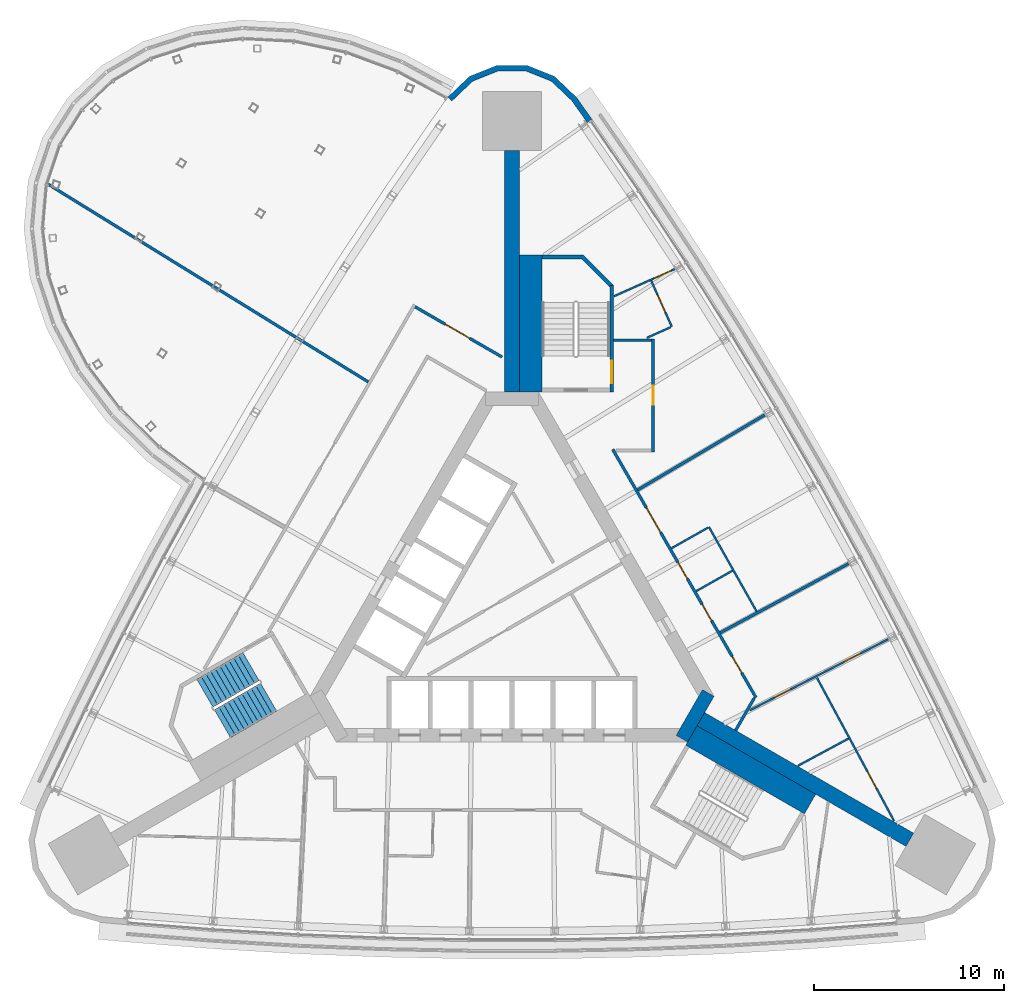
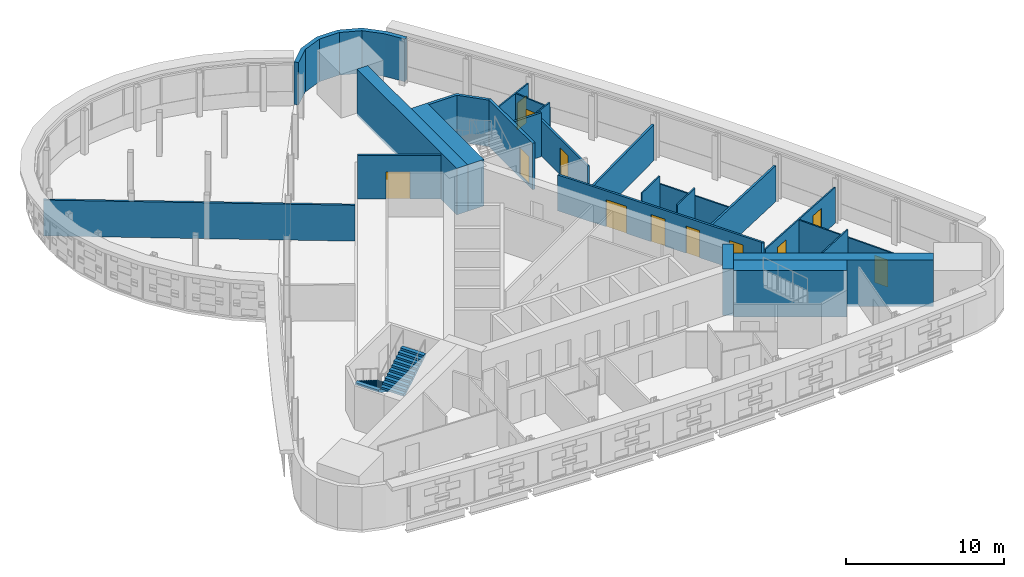
# One storey, part 12 of 16: 25 walls, 12 doors, 2 stair flights, 12 openings, 1 element without a shape of its own.
"""IFC4 building model written with IfcOpenShell, lengths in metres."""

from ifc_helpers import new_model, si_unit, direction, frame, frame_2d, origin, place, context, subcontext, project, spatial, polyline, rectangle, outline, extrude, material, layer, layer_set, type_object, element, fill, aggregate, save


model = new_model("IFC4")

# Units and contexts
model_context = context("Model", 3, precision=1e-05, world=origin(), true_north=direction((0.0, 1.0)))
body_context = subcontext(model_context, "Body", "Model", "MODEL_VIEW")
ifc_project = project(units=[si_unit("LENGTHUNIT", "METRE"), si_unit("AREAUNIT", "SQUARE_METRE"), si_unit("VOLUMEUNIT", "CUBIC_METRE"), si_unit("PLANEANGLEUNIT", "RADIAN"), si_unit("MASSUNIT", "GRAM", prefix="KILO")], contexts=[model_context])

# Site, building, storey
site_placement = place(None, origin())
site = spatial("IfcSite", under=ifc_project, at=site_placement, CompositionType="ELEMENT")
building_placement = place(site_placement, origin())
building = spatial("IfcBuilding", under=site, at=building_placement, Name="Noor Cloister Tower", CompositionType="ELEMENT")
storey_placement = place(building_placement, frame((0.0, 0.0, 91.5)))
storey = spatial("IfcBuildingStorey", under=building, at=storey_placement, Name="L23", CompositionType="ELEMENT", Elevation=91.5)

# Walls
ifc_material_1 = material(Name="Concrete C80/95", Category="concrete")
ifc_layer_1 = layer(ifc_material_1, 0.800048828125)
ifc_layer_set_1 = layer_set([ifc_layer_1], Name="Buttress wall 800 C80/95")
wall_type_1 = type_object("IfcWallType", Name="Buttress wall 800 C80/95", PredefinedType="SHEAR", material=ifc_layer_set_1)
wall_1_placement = place(storey_placement, frame((0.0, 11.456298828125, -0.199951171875), z_axis=(0.0, 0.0, 1.0), x_axis=(0.0, 1.0, 0.0)))
element("IfcWall", 1, at=wall_1_placement, inside=storey, type_object=wall_type_1, Name="Buttress wall N L23", PredefinedType="SHEAR", context=body_context, shape_type="SweptSolid", body=[
    extrude(rectangle(XDim=12.677734375, YDim=0.800048828125, at=frame_2d((6.3388671875, 0.0))), origin(), (0.0, 0.0, 1.0), 3.599853515625),
])
wall_2_placement = place(storey_placement, frame((9.921630859375, -5.728271484375, -0.199951171875), z_axis=(0.0, 0.0, 1.0), x_axis=(0.866029086277, -0.499993621681, 0.0)))
element("IfcWall", 2, at=wall_2_placement, inside=storey, type_object=wall_type_1, Name="Buttress wall SE L23", PredefinedType="SHEAR", context=body_context, shape_type="SweptSolid", body=[
    extrude(rectangle(XDim=12.677490234375, YDim=0.800048828125, at=frame_2d((6.3388671875, 0.0))), origin(), (0.0, 0.0, 1.0), 3.599853515625),
])
ifc_material_2 = material(Name="Concrete C80/95", Category="concrete")
ifc_layer_2 = layer(ifc_material_2, 0.699951171875)
ifc_layer_set_2 = layer_set([ifc_layer_2], Name="Core wall 700 C80/95")
wall_type_2 = type_object("IfcWallType", Name="Core wall 700 C80/95", PredefinedType="SHEAR", material=ifc_layer_set_2)
wall_3_placement = place(storey_placement, frame((8.925537109375, -6.753173828125, -0.199951171875), z_axis=(0.0, 0.0, 1.0), x_axis=(0.500042739161, 0.866000726912, 0.0)))
element("IfcWall", 3, at=wall_3_placement, inside=storey, type_object=wall_type_2, Name="Core wall L23 2", PredefinedType="SHEAR", context=body_context, shape_type="SweptSolid", body=[
    extrude(rectangle(XDim=2.771240234375, YDim=0.699951171875, at=frame_2d((1.3857421875, 0.0))), origin(), (0.0, 0.0, 1.0), 3.599853515625),
])

# Wall, openings, doors
ifc_material_3 = material(Name="Gypsum board partition on steel studs, 150 mm", Category="steel")
ifc_layer_3 = layer(ifc_material_3, 0.14990234375)
ifc_layer_set_3 = layer_set([ifc_layer_3], Name="Flat wall 150")
wall_type_3 = type_object("IfcWallType", Name="Flat wall 150", PredefinedType="PARTITIONING", material=ifc_layer_set_3)
wall_4_placement = place(storey_placement, frame((5.28857421875, 8.4462890625, 0.0), z_axis=(0.0, 0.0, 1.0), x_axis=(0.499996620721, -0.866027354803, 0.0)))
wall_4 = element("IfcWall", 4, at=wall_4_placement, inside=storey, type_object=wall_type_3, Name="Flat wall 150 L23 003", PredefinedType="PARTITIONING", context=body_context, shape_type="SweptSolid", body=[
    extrude(rectangle(XDim=15.056640625, YDim=0.14990234375, at=frame_2d((7.5283203125, 0.0))), origin(), (0.0, 0.0, 1.0), 2.778076171875),
])
opening_1_placement = place(wall_4_placement, frame((12.56640625, 0.0, 0.0)))
opening_1 = element("IfcOpeningElement", 5, at=opening_1_placement, cuts=wall_4, Name="Opening L23-004", PredefinedType="OPENING", context=body_context, shape_type="SweptSolid", body=[
    extrude(rectangle(XDim=1.0, YDim=2.10009765625, at=frame_2d((0.5, 1.050048828125))), frame((0.0, 0.0849609375, 0.0), z_axis=(0.0, -1.0, 0.0), x_axis=(1.0, 0.0, 0.0)), (0.0, 0.0, 1.0), 0.169921875),
])
opening_2_placement = place(wall_4_placement, frame((9.39501953125, 0.0, 0.0)))
opening_2 = element("IfcOpeningElement", 6, at=opening_2_placement, cuts=wall_4, Name="Opening L23-005", PredefinedType="OPENING", context=body_context, shape_type="SweptSolid", body=[
    extrude(rectangle(XDim=1.0, YDim=2.10009765625, at=frame_2d((0.5, 1.050048828125))), frame((0.0, 0.0849609375, 0.0), z_axis=(0.0, -1.0, 0.0), x_axis=(1.0, 0.0, 0.0)), (0.0, 0.0, 1.0), 0.169921875),
])
opening_3_placement = place(wall_4_placement, frame((6.845458984375, 0.0, 0.0)))
opening_3 = element("IfcOpeningElement", 7, at=opening_3_placement, cuts=wall_4, Name="Opening L23-006", PredefinedType="OPENING", context=body_context, shape_type="SweptSolid", body=[
    extrude(rectangle(XDim=1.0, YDim=2.10009765625, at=frame_2d((0.5, 1.050048828125))), frame((0.0, 0.0849609375, 0.0), z_axis=(0.0, -1.0, 0.0), x_axis=(1.0, 0.0, 0.0)), (0.0, 0.0, 1.0), 0.169921875),
])
opening_4_placement = place(wall_4_placement, frame((3.537353515625, 0.0, 0.0)))
opening_4 = element("IfcOpeningElement", 8, at=opening_4_placement, cuts=wall_4, Name="Opening L23-007", PredefinedType="OPENING", context=body_context, shape_type="SweptSolid", body=[
    extrude(rectangle(XDim=1.5, YDim=2.10009765625, at=frame_2d((0.75, 1.050048828125))), frame((0.0, 0.0849609375, 0.0), z_axis=(0.0, -1.0, 0.0), x_axis=(1.0, 0.0, 0.0)), (0.0, 0.0, 1.0), 0.169921875),
])
ifc_material_4 = material(Name="Timber door leaf with steel frame", Category="steel")
door_type_1 = type_object("IfcDoorType", Name="Accessible WC door 1000", OperationType="NOTDEFINED", PredefinedType="DOOR", material=ifc_material_4)
door_1_placement = place(opening_2_placement, origin())
door_1 = element("IfcDoor", 9, at=door_1_placement, inside=storey, type_object=door_type_1, Name="Accessible WC door 1000 L23-005", OperationType="SINGLE_SWING_RIGHT", OverallHeight=2.10009765625, OverallWidth=1.0, PredefinedType="DOOR", context=body_context, shape_type="SweptSolid", body=[
    extrude(rectangle(XDim=1.0, YDim=2.10009765625, at=frame_2d((0.5, 1.050048828125))), frame((0.0, 0.02490234375, 0.0), z_axis=(0.0, -1.0, 0.0), x_axis=(1.0, 0.0, 0.0)), (0.0, 0.0, 1.0), 0.050048828125),
])
fill(opening_2, door_1)
ifc_material_5 = material(Name="Timber door leaf with steel frame", Category="steel")
door_type_2 = type_object("IfcDoorType", Name="Double door 1500 FD60", OperationType="NOTDEFINED", PredefinedType="DOOR", material=ifc_material_5)
door_2_placement = place(opening_4_placement, origin())
door_2 = element("IfcDoor", 10, at=door_2_placement, inside=storey, type_object=door_type_2, Name="Double door 1500 L23-007", OperationType="DOUBLE_DOOR_SINGLE_SWING", OverallHeight=2.10009765625, OverallWidth=1.5, PredefinedType="DOOR", context=body_context, shape_type="SweptSolid", body=[
    extrude(rectangle(XDim=1.5, YDim=2.10009765625, at=frame_2d((0.75, 1.050048828125))), frame((0.0, 0.02490234375, 0.0), z_axis=(0.0, -1.0, 0.0), x_axis=(1.0, 0.0, 0.0)), (0.0, 0.0, 1.0), 0.050048828125),
])
fill(opening_4, door_2)
ifc_material_6 = material(Name="Timber door leaf with steel frame", Category="steel")
door_type_3 = type_object("IfcDoorType", Name="Flat entrance door 1000 FD60S", OperationType="NOTDEFINED", PredefinedType="DOOR", material=ifc_material_6)
door_3_placement = place(opening_1_placement, origin())
door_3 = element("IfcDoor", 11, at=door_3_placement, inside=storey, type_object=door_type_3, Name="Flat entrance door 1000 L23-004", OperationType="SINGLE_SWING_RIGHT", OverallHeight=2.10009765625, OverallWidth=1.0, PredefinedType="DOOR", context=body_context, shape_type="SweptSolid", body=[
    extrude(rectangle(XDim=1.0, YDim=2.10009765625, at=frame_2d((0.5, 1.050048828125))), frame((0.0, 0.02490234375, 0.0), z_axis=(0.0, -1.0, 0.0), x_axis=(1.0, 0.0, 0.0)), (0.0, 0.0, 1.0), 0.050048828125),
])
fill(opening_1, door_3)
ifc_material_7 = material(Name="Timber door leaf with steel frame", Category="steel")
door_type_4 = type_object("IfcDoorType", Name="Interior door 1000 FD60", OperationType="NOTDEFINED", PredefinedType="DOOR", material=ifc_material_7)
door_4_placement = place(opening_3_placement, origin())
door_4 = element("IfcDoor", 12, at=door_4_placement, inside=storey, type_object=door_type_4, Name="Interior door 1000 L23-006", OperationType="SINGLE_SWING_LEFT", OverallHeight=2.10009765625, OverallWidth=1.0, PredefinedType="DOOR", context=body_context, shape_type="SweptSolid", body=[
    extrude(rectangle(XDim=1.0, YDim=2.10009765625, at=frame_2d((0.5, 1.050048828125))), frame((0.0, 0.02490234375, 0.0), z_axis=(0.0, -1.0, 0.0), x_axis=(1.0, 0.0, 0.0)), (0.0, 0.0, 1.0), 0.050048828125),
])
fill(opening_3, door_4)

# Wall, opening, door
wall_5_placement = place(storey_placement, frame((7.41064453125, 14.25634765625, 0.0), z_axis=(0.0, 0.0, 1.0), x_axis=(0.0, -1.0, 0.0)))
wall_5 = element("IfcWall", 13, at=wall_5_placement, inside=storey, type_object=wall_type_3, Name="Flat wall 150 L23 006", PredefinedType="PARTITIONING", context=body_context, shape_type="SweptSolid", body=[
    extrude(rectangle(XDim=5.949951171875, YDim=0.14990234375, at=frame_2d((2.97509765625, 0.0))), origin(), (0.0, 0.0, 1.0), 2.778076171875),
])
opening_5_placement = place(wall_5_placement, frame((2.47509765625, 0.0, 0.0)))
opening_5 = element("IfcOpeningElement", 14, at=opening_5_placement, cuts=wall_5, Name="Opening L23-011", PredefinedType="OPENING", context=body_context, shape_type="SweptSolid", body=[
    extrude(rectangle(XDim=1.0, YDim=2.10009765625, at=frame_2d((0.5, 1.050048828125))), frame((0.0, 0.0849609375, 0.0), z_axis=(0.0, -1.0, 0.0), x_axis=(1.0, 0.0, 0.0)), (0.0, 0.0, 1.0), 0.169921875),
])
door_5_placement = place(opening_5_placement, origin())
door_5 = element("IfcDoor", 15, at=door_5_placement, inside=storey, type_object=door_type_3, Name="Flat entrance door 1000 L23-011", OperationType="SINGLE_SWING_RIGHT", OverallHeight=2.10009765625, OverallWidth=1.0, PredefinedType="DOOR", context=body_context, shape_type="SweptSolid", body=[
    extrude(rectangle(XDim=1.0, YDim=2.10009765625, at=frame_2d((0.5, 1.050048828125))), frame((0.0, 0.02490234375, 0.0), z_axis=(0.0, -1.0, 0.0), x_axis=(1.0, 0.0, 0.0)), (0.0, 0.0, 1.0), 0.050048828125),
])
fill(opening_5, door_5)

wall_6_placement = place(storey_placement, frame((-5.093017578125, 15.93505859375, 0.0), z_axis=(0.0, 0.0, 1.0), x_axis=(0.866033195618, -0.499986503906, 0.0)))
wall_6 = element("IfcWall", 16, at=wall_6_placement, inside=storey, type_object=wall_type_3, Name="Flat wall 150 L23 007", PredefinedType="PARTITIONING", context=body_context, shape_type="SweptSolid", body=[
    extrude(rectangle(XDim=5.282470703125, YDim=0.14990234375, at=frame_2d((2.64111328125, 0.0))), origin(), (0.0, 0.0, 1.0), 3.39990234375),
])
opening_6_placement = place(wall_6_placement, frame((1.816162109375, 0.0, 0.0)))
opening_6 = element("IfcOpeningElement", 17, at=opening_6_placement, cuts=wall_6, Name="Opening L23-012", PredefinedType="OPENING", context=body_context, shape_type="SweptSolid", body=[
    extrude(rectangle(XDim=1.5, YDim=2.10009765625, at=frame_2d((0.75, 1.050048828125))), frame((0.0, 0.0849609375, 0.0), z_axis=(0.0, -1.0, 0.0), x_axis=(1.0, 0.0, 0.0)), (0.0, 0.0, 1.0), 0.169921875),
])
door_6_placement = place(opening_6_placement, origin())
door_6 = element("IfcDoor", 18, at=door_6_placement, inside=storey, type_object=door_type_2, Name="Double door 1500 L23-012", OperationType="DOUBLE_DOOR_SINGLE_SWING", OverallHeight=2.10009765625, OverallWidth=1.5, PredefinedType="DOOR", context=body_context, shape_type="SweptSolid", body=[
    extrude(rectangle(XDim=1.5, YDim=2.10009765625, at=frame_2d((0.75, 1.050048828125))), frame((0.0, 0.02490234375, 0.0), z_axis=(0.0, -1.0, 0.0), x_axis=(1.0, 0.0, 0.0)), (0.0, 0.0, 1.0), 0.050048828125),
])
fill(opening_6, door_6)

# Walls
wall_7_placement = place(storey_placement, frame((5.335693359375, 14.181396484375, 0.0), z_axis=(0.0, 0.0, 1.0), x_axis=(1.0, 0.0, 0.0)))
element("IfcWall", 19, at=wall_7_placement, inside=storey, type_object=wall_type_3, Name="Flat wall 150 L23 009", PredefinedType="PARTITIONING", context=body_context, shape_type="SweptSolid", body=[
    extrude(rectangle(XDim=2.0, YDim=0.14990234375, at=frame_2d((1.0, 0.0))), origin(), (0.0, 0.0, 1.0), 3.39990234375),
])
wall_8_placement = place(storey_placement, frame((11.745361328125, -6.3193359375, 0.0), z_axis=(0.0, 0.0, 1.0), x_axis=(0.500012721296, 0.866018059016, 0.0)))
element("IfcWall", 20, at=wall_8_placement, inside=storey, type_object=wall_type_3, Name="Flat wall 150 L23 012", PredefinedType="PARTITIONING", context=body_context, shape_type="SweptSolid", body=[
    extrude(rectangle(XDim=1.9658203125, YDim=0.14990234375, at=frame_2d((0.98291015625, 0.0))), origin(), (0.0, 0.0, 1.0), 2.778076171875),
])
wall_9_placement = place(storey_placement, frame((-24.360595703125, 22.36767578125, 0.0), z_axis=(0.0, 0.0, 1.0), x_axis=(0.850884423776, -0.525352926494, 0.0)))
element("IfcWall", 21, at=wall_9_placement, inside=storey, type_object=wall_type_3, Name="Flat wall 150 L23 016", PredefinedType="PARTITIONING", context=body_context, shape_type="SweptSolid", body=[
    extrude(rectangle(XDim=19.7587890625, YDim=0.14990234375, at=frame_2d((9.87939453125, 0.0))), origin(), (0.0, 0.0, 1.0), 2.778076171875),
])
wall_10_placement = place(storey_placement, frame((13.269287109375, 10.25, 0.0), z_axis=(0.0, 0.0, 1.0), x_axis=(-0.861057776749, -0.508507133775, 0.0)))
element("IfcWall", 22, at=wall_10_placement, inside=storey, type_object=wall_type_3, Name="Flat wall 150 L23 017", PredefinedType="PARTITIONING", context=body_context, shape_type="SweptSolid", body=[
    extrude(rectangle(XDim=7.738037109375, YDim=0.14990234375, at=frame_2d((3.869140625, 0.0))), origin(), (0.0, 0.0, 1.0), 2.778076171875),
])
wall_11_placement = place(storey_placement, frame((17.676513671875, 2.439697265625, 0.0), z_axis=(0.0, 0.0, 1.0), x_axis=(-0.880400392736, -0.47423111293, 0.0)))
element("IfcWall", 23, at=wall_11_placement, inside=storey, type_object=wall_type_3, Name="Flat wall 150 L23 018", PredefinedType="PARTITIONING", context=body_context, shape_type="SweptSolid", body=[
    extrude(rectangle(XDim=7.651123046875, YDim=0.14990234375, at=frame_2d((3.82568359375, 0.0))), origin(), (0.0, 0.0, 1.0), 2.778076171875),
])
ifc_material_8 = material(Name="Limestone", Category="masonry")
ifc_layer_4 = layer(ifc_material_8, 0.300048828125)
ifc_layer_set_4 = layer_set([ifc_layer_4], Name="Limestone cladding 300")
wall_type_4 = type_object("IfcWallType", Name="Limestone cladding 300", PredefinedType="NOTDEFINED", material=ifc_layer_set_4)
wall_12_placement = place(storey_placement, origin())
element("IfcWall", 24, at=wall_12_placement, inside=storey, type_object=wall_type_4, Name="Limestone pier cladding L23 3.1", PredefinedType="NOTDEFINED", context=body_context, shape_type="SweptSolid", body=[
    extrude(outline(polyline([(4.204833984375, 25.77978515625), (3.37548828125, 26.95263671875), (2.240478515625, 28.035400390625), (0.784423828125, 28.61865234375), (-0.784423828125, 28.61865234375), (-2.240478515625, 28.035400390625), (-3.37548828125, 26.95263671875), (-3.16845703125, 26.735595703125), (-2.075439453125, 27.778564453125), (-0.7265625, 28.31884765625), (0.7265625, 28.31884765625), (2.075439453125, 27.778564453125), (3.1474609375, 26.755615234375), (3.959716796875, 25.6064453125), (4.204833984375, 25.77978515625)])), origin(), (0.0, 0.0, 1.0), 3.300048828125),
])

# Wall, opening, door
ifc_material_9 = material(Name="Gypsum board partition on steel studs, 100 mm", Category="steel")
ifc_layer_5 = layer(ifc_material_9, 0.10009765625)
ifc_layer_set_5 = layer_set([ifc_layer_5], Name="Partition 100")
wall_type_5 = type_object("IfcWallType", Name="Partition 100", PredefinedType="PARTITIONING", material=ifc_layer_set_5)
wall_13_placement = place(storey_placement, frame((20.072509765625, -11.077880859375, 0.0), z_axis=(0.0, 0.0, 1.0), x_axis=(-0.474207115322, 0.880413318719, 0.0)))
wall_13 = element("IfcWall", 25, at=wall_13_placement, inside=storey, type_object=wall_type_5, Name="Partition 100 L23 023", PredefinedType="PARTITIONING", context=body_context, shape_type="SweptSolid", body=[
    extrude(rectangle(XDim=8.54833984375, YDim=0.10009765625, at=frame_2d((4.274169921875, 0.0))), origin(), (0.0, 0.0, 1.0), 2.778076171875),
])
opening_7_placement = place(wall_13_placement, frame((1.94921875, 0.0, 0.0)))
opening_7 = element("IfcOpeningElement", 26, at=opening_7_placement, cuts=wall_13, Name="Opening L23-014", PredefinedType="OPENING", context=body_context, shape_type="SweptSolid", body=[
    extrude(rectangle(XDim=1.0, YDim=2.10009765625, at=frame_2d((0.5, 1.050048828125))), frame((0.0, 0.06005859375, 0.0), z_axis=(0.0, -1.0, 0.0), x_axis=(1.0, 0.0, 0.0)), (0.0, 0.0, 1.0), 0.1201171875),
])
ifc_material_10 = material(Name="Timber door leaf with steel frame", Category="steel")
door_type_5 = type_object("IfcDoorType", Name="Interior door 1000", OperationType="NOTDEFINED", PredefinedType="DOOR", material=ifc_material_10)
door_7_placement = place(opening_7_placement, origin())
door_7 = element("IfcDoor", 27, at=door_7_placement, inside=storey, type_object=door_type_5, Name="Interior door 1000 L23-014", OperationType="SINGLE_SWING_LEFT", OverallHeight=2.10009765625, OverallWidth=1.0, PredefinedType="DOOR", context=body_context, shape_type="SweptSolid", body=[
    extrude(rectangle(XDim=1.0, YDim=2.10009765625, at=frame_2d((0.5, 1.050048828125))), frame((0.0, 0.02490234375, 0.0), z_axis=(0.0, -1.0, 0.0), x_axis=(1.0, 0.0, 0.0)), (0.0, 0.0, 1.0), 0.050048828125),
])
fill(opening_7, door_7)

# Wall, openings, doors
wall_14_placement = place(storey_placement, frame((19.763916015625, -1.52880859375, 0.0), z_axis=(0.0, 0.0, 1.0), x_axis=(-0.889562755555, -0.456812985728, 0.0)))
wall_14 = element("IfcWall", 28, at=wall_14_placement, inside=storey, type_object=wall_type_5, Name="Partition 100 L23 024", PredefinedType="PARTITIONING", context=body_context, shape_type="SweptSolid", body=[
    extrude(rectangle(XDim=8.177490234375, YDim=0.10009765625, at=frame_2d((4.0888671875, 0.0))), origin(), (0.0, 0.0, 1.0), 2.778076171875),
])
opening_8_placement = place(wall_14_placement, frame((5.741943359375, 0.0, 0.0)))
opening_8 = element("IfcOpeningElement", 29, at=opening_8_placement, cuts=wall_14, Name="Opening L23-015", PredefinedType="OPENING", context=body_context, shape_type="SweptSolid", body=[
    extrude(rectangle(XDim=1.0, YDim=2.10009765625, at=frame_2d((0.5, 1.050048828125))), frame((0.0, 0.06005859375, 0.0), z_axis=(0.0, -1.0, 0.0), x_axis=(1.0, 0.0, 0.0)), (0.0, 0.0, 1.0), 0.1201171875),
])
opening_9_placement = place(wall_14_placement, frame((1.634521484375, 0.0, 0.0)))
opening_9 = element("IfcOpeningElement", 30, at=opening_9_placement, cuts=wall_14, Name="Opening L23-016", PredefinedType="OPENING", context=body_context, shape_type="SweptSolid", body=[
    extrude(rectangle(XDim=1.0, YDim=2.10009765625, at=frame_2d((0.5, 1.050048828125))), frame((0.0, 0.06005859375, 0.0), z_axis=(0.0, -1.0, 0.0), x_axis=(1.0, 0.0, 0.0)), (0.0, 0.0, 1.0), 0.1201171875),
])
door_8_placement = place(opening_8_placement, origin())
door_8 = element("IfcDoor", 31, at=door_8_placement, inside=storey, type_object=door_type_5, Name="Interior door 1000 L23-015", OperationType="SINGLE_SWING_RIGHT", OverallHeight=2.10009765625, OverallWidth=1.0, PredefinedType="DOOR", context=body_context, shape_type="SweptSolid", body=[
    extrude(rectangle(XDim=1.0, YDim=2.10009765625, at=frame_2d((0.5, 1.050048828125))), frame((0.0, 0.02490234375, 0.0), z_axis=(0.0, -1.0, 0.0), x_axis=(1.0, 0.0, 0.0)), (0.0, 0.0, 1.0), 0.050048828125),
])
fill(opening_8, door_8)
door_9_placement = place(opening_9_placement, origin())
door_9 = element("IfcDoor", 32, at=door_9_placement, inside=storey, type_object=door_type_5, Name="Interior door 1000 L23-016", OperationType="SINGLE_SWING_LEFT", OverallHeight=2.10009765625, OverallWidth=1.0, PredefinedType="DOOR", context=body_context, shape_type="SweptSolid", body=[
    extrude(rectangle(XDim=1.0, YDim=2.10009765625, at=frame_2d((0.5, 1.050048828125))), frame((0.0, 0.02490234375, 0.0), z_axis=(0.0, -1.0, 0.0), x_axis=(1.0, 0.0, 0.0)), (0.0, 0.0, 1.0), 0.050048828125),
])
fill(opening_9, door_9)

# Wall
wall_15_placement = place(storey_placement, frame((12.85205078125, -0.072509765625, 0.0), z_axis=(0.0, 0.0, 1.0), x_axis=(-0.491453614565, 0.870903751703, 0.0)))
element("IfcWall", 33, at=wall_15_placement, inside=storey, type_object=wall_type_5, Name="Partition 100 L23 027", PredefinedType="PARTITIONING", context=body_context, shape_type="SweptSolid", body=[
    extrude(rectangle(XDim=5.091796875, YDim=0.10009765625, at=frame_2d((2.5458984375, 0.0))), origin(), (0.0, 0.0, 1.0), 2.778076171875),
])

# Wall, opening, door
wall_16_placement = place(storey_placement, frame((5.356201171875, 16.4873046875, 0.0), z_axis=(0.0, 0.0, 1.0), x_axis=(0.912565214453, 0.408931203713, 0.0)))
wall_16 = element("IfcWall", 34, at=wall_16_placement, inside=storey, type_object=wall_type_5, Name="Partition 100 L23 029", PredefinedType="PARTITIONING", context=body_context, shape_type="SweptSolid", body=[
    extrude(rectangle(XDim=3.4853515625, YDim=0.10009765625, at=frame_2d((1.74267578125, 0.0))), origin(), (0.0, 0.0, 1.0), 2.97412109375),
])
opening_10_placement = place(wall_16_placement, frame((2.296630859375, 0.0, 0.0)))
opening_10 = element("IfcOpeningElement", 35, at=opening_10_placement, cuts=wall_16, Name="Opening L23-021", PredefinedType="OPENING", context=body_context, shape_type="SweptSolid", body=[
    extrude(rectangle(XDim=1.0, YDim=2.10009765625, at=frame_2d((0.5, 1.050048828125))), frame((0.0, 0.06005859375, 0.0), z_axis=(0.0, -1.0, 0.0), x_axis=(1.0, 0.0, 0.0)), (0.0, 0.0, 1.0), 0.1201171875),
])
door_10_placement = place(opening_10_placement, origin())
door_10 = element("IfcDoor", 36, at=door_10_placement, inside=storey, type_object=door_type_5, Name="Interior door 1000 L23-021", OperationType="SINGLE_SWING_RIGHT", OverallHeight=2.10009765625, OverallWidth=1.0, PredefinedType="DOOR", context=body_context, shape_type="SweptSolid", body=[
    extrude(rectangle(XDim=1.0, YDim=2.10009765625, at=frame_2d((0.5, 1.050048828125))), frame((0.0, 0.02490234375, 0.0), z_axis=(0.0, -1.0, 0.0), x_axis=(1.0, 0.0, 0.0)), (0.0, 0.0, 1.0), 0.050048828125),
])
fill(opening_10, door_10)

# Wall
wall_17_placement = place(storey_placement, frame((17.681884765625, -6.7451171875, 0.0), z_axis=(0.0, 0.0, 1.0), x_axis=(-0.880419251007, -0.474196101267, 0.0)))
element("IfcWall", 37, at=wall_17_placement, inside=storey, type_object=wall_type_5, Name="Partition 100 L23 031", PredefinedType="PARTITIONING", context=body_context, shape_type="SweptSolid", body=[
    extrude(rectangle(XDim=3.024169921875, YDim=0.10009765625, at=frame_2d((1.51220703125, 0.0))), origin(), (0.0, 0.0, 1.0), 3.39990234375),
])

# Wall, opening, door
wall_18_placement = place(storey_placement, frame((8.39501953125, 14.890380859375, 0.0), z_axis=(0.0, 0.0, 1.0), x_axis=(-0.408965961138, 0.912549638448, 0.0)))
wall_18 = element("IfcWall", 38, at=wall_18_placement, inside=storey, type_object=wall_type_5, Name="Partition 100 L23 033", PredefinedType="PARTITIONING", context=body_context, shape_type="SweptSolid", body=[
    extrude(rectangle(XDim=2.64990234375, YDim=0.10009765625, at=frame_2d((1.324951171875, 0.0))), origin(), (0.0, 0.0, 1.0), 2.97412109375),
])
opening_11_placement = place(wall_18_placement, frame((0.85009765625, 0.0, 0.0)))
opening_11 = element("IfcOpeningElement", 39, at=opening_11_placement, cuts=wall_18, Name="Opening L23-023", PredefinedType="OPENING", context=body_context, shape_type="SweptSolid", body=[
    extrude(rectangle(XDim=1.0, YDim=2.10009765625, at=frame_2d((0.5, 1.050048828125))), frame((0.0, 0.06005859375, 0.0), z_axis=(0.0, -1.0, 0.0), x_axis=(1.0, 0.0, 0.0)), (0.0, 0.0, 1.0), 0.1201171875),
])
door_11_placement = place(opening_11_placement, origin())
door_11 = element("IfcDoor", 40, at=door_11_placement, inside=storey, type_object=door_type_5, Name="Interior door 1000 L23-023", OperationType="SINGLE_SWING_RIGHT", OverallHeight=2.10009765625, OverallWidth=1.0, PredefinedType="DOOR", context=body_context, shape_type="SweptSolid", body=[
    extrude(rectangle(XDim=1.0, YDim=2.10009765625, at=frame_2d((0.5, 1.050048828125))), frame((0.0, 0.02490234375, 0.0), z_axis=(0.0, -1.0, 0.0), x_axis=(1.0, 0.0, 0.0)), (0.0, 0.0, 1.0), 0.050048828125),
])
fill(opening_11, door_11)

# Walls
wall_19_placement = place(storey_placement, frame((10.305908203125, 4.33740234375, 0.0), z_axis=(0.0, 0.0, 1.0), x_axis=(-0.870909527441, -0.491443379253, 0.0)))
element("IfcWall", 41, at=wall_19_placement, inside=storey, type_object=wall_type_5, Name="Partition 100 L23 037", PredefinedType="PARTITIONING", context=body_context, shape_type="SweptSolid", body=[
    extrude(rectangle(XDim=2.215087890625, YDim=0.10009765625, at=frame_2d((1.107421875, 0.0))), origin(), (0.0, 0.0, 1.0), 3.39990234375),
])
wall_20_placement = place(storey_placement, frame((11.583740234375, 2.072998046875, 0.0), z_axis=(0.0, 0.0, 1.0), x_axis=(-0.870892816927, -0.491472991552, 0.0)))
element("IfcWall", 42, at=wall_20_placement, inside=storey, type_object=wall_type_5, Name="Partition 100 L23 038", PredefinedType="PARTITIONING", context=body_context, shape_type="SweptSolid", body=[
    extrude(rectangle(XDim=2.189697265625, YDim=0.10009765625, at=frame_2d((1.0947265625, 0.0))), origin(), (0.0, 0.0, 1.0), 3.39990234375),
])
wall_21_placement = place(storey_placement, frame((7.082275390625, 14.302001953125, 0.0), z_axis=(0.0, 0.0, 1.0), x_axis=(0.912545530992, 0.408975126221, 0.0)))
element("IfcWall", 43, at=wall_21_placement, inside=storey, type_object=wall_type_5, Name="Partition 100 L23 039", PredefinedType="PARTITIONING", context=body_context, shape_type="SweptSolid", body=[
    extrude(rectangle(XDim=1.388427734375, YDim=0.10009765625, at=frame_2d((0.6943359375, 0.0))), origin(), (0.0, 0.0, 1.0), 3.39990234375),
])
ifc_material_11 = material(Name="Concrete C80/95", Category="concrete")
ifc_layer_6 = layer(ifc_material_11, 1.18603515625)
ifc_layer_set_6 = layer_set([ifc_layer_6], Name="Stair enclosure wall 1186 C80/95")
wall_type_6 = type_object("IfcWallType", Name="Stair enclosure wall 1186 C80/95", PredefinedType="SHEAR", material=ifc_layer_set_6)
wall_22_placement = place(storey_placement, frame((0.992919921875, 11.456298828125, -0.199951171875), z_axis=(0.0, 0.0, 1.0), x_axis=(0.0, 1.0, 0.0)))
element("IfcWall", 44, at=wall_22_placement, inside=storey, type_object=wall_type_6, Name="Stair enclosure wall ST1 L23 riser side", PredefinedType="SHEAR", context=body_context, shape_type="SweptSolid", body=[
    extrude(rectangle(XDim=7.2001953125, YDim=1.185546875, at=frame_2d((3.60009765625, 0.0))), origin(), (0.0, 0.0, 1.0), 3.599853515625),
])
wall_23_placement = place(storey_placement, frame((9.425048828125, -6.587890625, -0.199951171875), z_axis=(0.0, 0.0, 1.0), x_axis=(0.866018442252, -0.500012057535, 0.0)))
element("IfcWall", 45, at=wall_23_placement, inside=storey, type_object=wall_type_6, Name="Stair enclosure wall ST3 L23 riser side", PredefinedType="SHEAR", context=body_context, shape_type="SweptSolid", body=[
    extrude(rectangle(XDim=7.199951171875, YDim=1.185546875, at=frame_2d((3.60009765625, 0.0))), origin(), (0.0, 0.0, 1.0), 3.599853515625),
])

# Wall, opening, door
ifc_material_12 = material(Name="Concrete C80/95", Category="concrete")
ifc_layer_7 = layer(ifc_material_12, 0.199951171875)
ifc_layer_set_7 = layer_set([ifc_layer_7], Name="Stair enclosure wall 200 C80/95")
wall_type_7 = type_object("IfcWallType", Name="Stair enclosure wall 200 C80/95", PredefinedType="SHEAR", material=ifc_layer_set_7)
wall_24_placement = place(storey_placement, frame((5.235595703125, 11.456298828125, -0.199951171875), z_axis=(0.0, 0.0, 1.0), x_axis=(0.0, 1.0, 0.0)))
wall_24 = element("IfcWall", 46, at=wall_24_placement, inside=storey, type_object=wall_type_7, Name="Stair enclosure wall ST1 L23 outer side", PredefinedType="SHEAR", context=body_context, shape_type="SweptSolid", body=[
    extrude(rectangle(XDim=5.60009765625, YDim=0.199951171875, at=frame_2d((2.800048828125, 0.0))), origin(), (0.0, 0.0, 1.0), 3.599853515625),
])
opening_12_placement = place(wall_24_placement, frame((0.449951171875, 0.0, 0.199951171875)))
opening_12 = element("IfcOpeningElement", 47, at=opening_12_placement, cuts=wall_24, Name="Opening L23-ST1C", PredefinedType="OPENING", context=body_context, shape_type="SweptSolid", body=[
    extrude(rectangle(XDim=1.199951171875, YDim=2.10009765625, at=frame_2d((0.60009765625, 1.050048828125))), frame((0.0, 0.10986328125, 0.0), z_axis=(0.0, -1.0, 0.0), x_axis=(1.0, 0.0, 0.0)), (0.0, 0.0, 1.0), 0.219970703125),
])
ifc_material_13 = material(Name="Steel", Category="steel")
door_type_6 = type_object("IfcDoorType", Name="Stair door 1200 x 2100 FD120", OperationType="SINGLE_SWING_LEFT", PredefinedType="DOOR", material=ifc_material_13)
door_12_placement = place(opening_12_placement, origin())
door_12 = element("IfcDoor", 48, at=door_12_placement, inside=storey, type_object=door_type_6, Name="Stair door ST1 L23", OperationType="SINGLE_SWING_LEFT", OverallHeight=2.10009765625, OverallWidth=1.199951171875, PredefinedType="DOOR", context=body_context, shape_type="SweptSolid", body=[
    extrude(rectangle(XDim=1.199951171875, YDim=2.10009765625, at=frame_2d((0.60009765625, 1.050048828125))), frame((0.0, 0.02490234375, 0.0), z_axis=(0.0, -1.0, 0.0), x_axis=(1.0, 0.0, 0.0)), (0.0, 0.0, 1.0), 0.050048828125),
])
fill(opening_12, door_12)

# Wall
ifc_material_14 = material(Name="Concrete C80/95", Category="concrete")
wall_type_8 = type_object("IfcWallType", Name="Stair far end wall C80/95", PredefinedType="SHEAR", material=ifc_material_14)
wall_25_placement = place(storey_placement, frame((0.0, 0.0, -0.199951171875)))
element("IfcWall", 49, at=wall_25_placement, inside=storey, type_object=wall_type_8, Name="Stair enclosure wall ST1 L23 far end", PredefinedType="SHEAR", context=body_context, shape_type="SweptSolid", body=[
    extrude(outline(polyline([(5.335693359375, 17.056396484375), (3.735595703125, 18.656494140625), (1.585693359375, 18.656494140625), (1.585693359375, 18.456298828125), (3.65283203125, 18.456298828125), (5.135498046875, 16.9736328125), (5.135498046875, 17.056396484375), (5.135498046875, 17.056396484375), (5.135498046875, 17.056396484375), (5.135498046875, 17.056396484375), (5.135498046875, 17.056396484375), (5.135498046875, 17.056396484375), (5.135498046875, 17.056396484375), (5.135498046875, 17.056396484375), (5.135498046875, 17.056396484375), (5.135498046875, 17.056396484375), (5.135498046875, 17.056396484375), (5.135498046875, 17.056396484375), (5.135498046875, 17.056396484375), (5.135498046875, 17.056396484375), (5.135498046875, 17.056396484375), (5.135498046875, 17.056396484375), (5.135498046875, 17.056396484375), (5.335693359375, 17.056396484375)])), origin(), (0.0, 0.0, 1.0), 3.599853515625),
])

# Stair, stair flights
ifc_material_15 = material(Name="Concrete C40/50", Category="concrete")
stair_type = type_object("IfcStairType", Name="Exit stair 22 risers", PredefinedType="HALF_TURN_STAIR", material=ifc_material_15)
stair_placement = place(storey_placement, origin())
stair = element("IfcStair", 50, at=stair_placement, inside=storey, type_object=stair_type, Name="Exit stair ST2 L23", PredefinedType="HALF_TURN_STAIR")
ifc_material_16 = material(Name="Concrete C40/50", Category="concrete")
stair_flight_type = type_object("IfcStairFlightType", Name="Exit stair flight", PredefinedType="STRAIGHT", material=ifc_material_16)
stair_flight_1_placement = place(storey_placement, frame((-13.709716796875, -2.966796875, 0.0), z_axis=(0.0, 0.0, 1.0), x_axis=(-0.866025403784, -0.5, 0.0)))
stair_flight_1 = element("IfcStairFlight", 51, at=stair_flight_1_placement, type_object=stair_flight_type, Name="ST2 flight 1", NumberOfRisers=11, NumberOfTreads=10, PredefinedType="STRAIGHT", RiserHeight=0.163636364, TreadLength=0.28, context=body_context, shape_type="SweptSolid", body=[
    extrude(outline(polyline([(0.0, 0.0), (0.0, 0.16357421875), (0.280029296875, 0.16357421875), (0.280029296875, 0.327392578125), (0.56005859375, 0.327392578125), (0.56005859375, 0.490966796875), (0.840087890625, 0.490966796875), (0.840087890625, 0.654541015625), (1.1201171875, 0.654541015625), (1.1201171875, 0.818115234375), (1.39990234375, 0.818115234375), (1.39990234375, 0.98193359375), (1.679931640625, 0.98193359375), (1.679931640625, 1.1455078125), (1.9599609375, 1.1455078125), (1.9599609375, 1.30908203125), (2.239990234375, 1.30908203125), (2.239990234375, 1.47265625), (2.52001953125, 1.47265625), (2.52001953125, 1.636474609375), (2.800048828125, 1.636474609375), (2.800048828125, 1.800048828125), (2.800048828125, 1.462646484375), (0.297119140625, 0.0), (0.0, 0.0)])), frame((0.0, 0.85009765625, 0.0), z_axis=(0.0, -1.0, 0.0), x_axis=(1.0, 0.0, 0.0)), (0.0, 0.0, 1.0), 1.699951171875),
])
stair_flight_2_placement = place(storey_placement, frame((-15.209716796875, -5.968994140625, 1.800048828125), z_axis=(0.0, 0.0, 1.0), x_axis=(0.866025403784, 0.5, 0.0)))
stair_flight_2 = element("IfcStairFlight", 52, at=stair_flight_2_placement, type_object=stair_flight_type, Name="ST2 flight 2", NumberOfRisers=11, NumberOfTreads=10, PredefinedType="STRAIGHT", RiserHeight=0.163636364, TreadLength=0.28, context=body_context, shape_type="SweptSolid", body=[
    extrude(outline(polyline([(0.0, 0.0), (0.0, 0.16357421875), (0.280029296875, 0.16357421875), (0.280029296875, 0.327392578125), (0.56005859375, 0.327392578125), (0.56005859375, 0.490966796875), (0.840087890625, 0.490966796875), (0.840087890625, 0.654541015625), (1.1201171875, 0.654541015625), (1.1201171875, 0.818115234375), (1.39990234375, 0.818115234375), (1.39990234375, 0.98193359375), (1.679931640625, 0.98193359375), (1.679931640625, 1.1455078125), (1.9599609375, 1.1455078125), (1.9599609375, 1.30908203125), (2.239990234375, 1.30908203125), (2.239990234375, 1.47265625), (2.52001953125, 1.47265625), (2.52001953125, 1.636474609375), (2.800048828125, 1.636474609375), (2.800048828125, 1.800048828125), (2.800048828125, 1.462646484375), (0.297119140625, 0.0), (0.0, 0.0)])), frame((0.0, 0.85009765625, 0.0), z_axis=(0.0, -1.0, 0.0), x_axis=(1.0, 0.0, 0.0)), (0.0, 0.0, 1.0), 1.699951171875),
])
aggregate(stair, [stair_flight_1, stair_flight_2])

save(model, "model.ifc")
